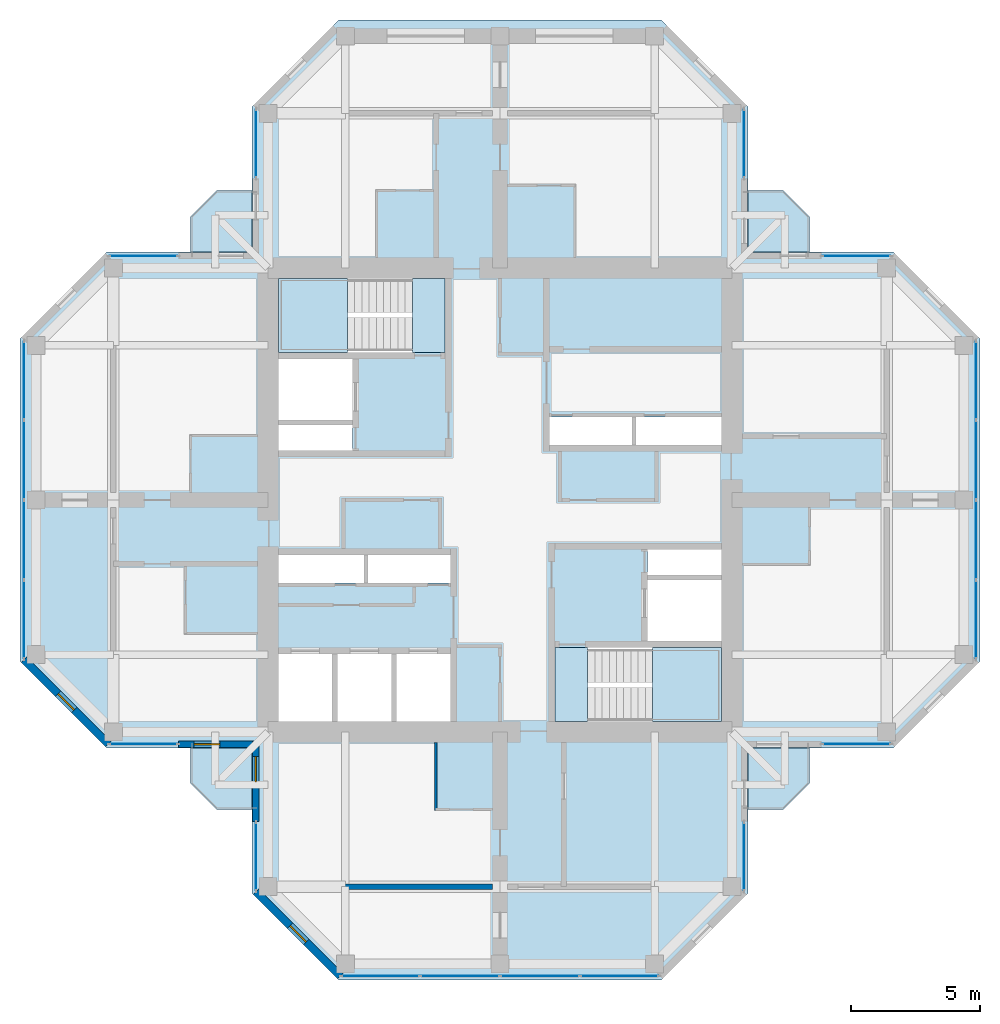
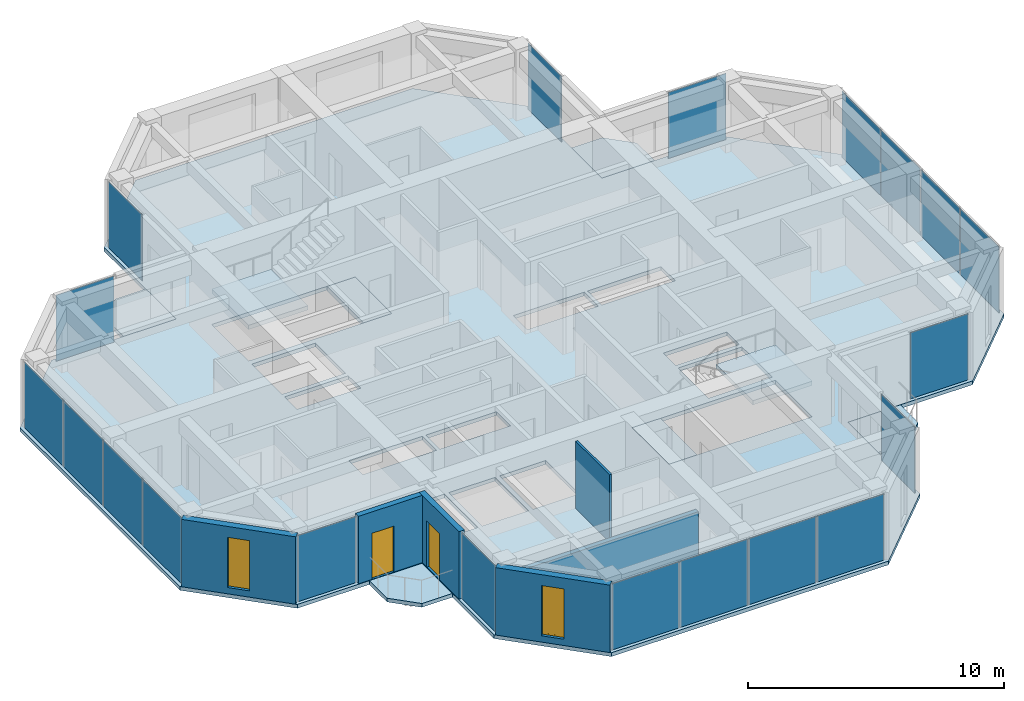
# One storey, part 7 of 13: 20 plates, 9 slabs, 6 walls, 2 doors, 2 windows, 4 openings, 13 elements without a shape of their own.
"""IFC4 building model written with IfcOpenShell, lengths in metres."""

from ifc_helpers import new_model, si_unit, direction, frame, frame_2d, origin, origin_2d, place, context, subcontext, project, spatial, polyline, rectangle, hollow_rectangle, outline, extrude, material, layer, layer_set, constituent, constituent_set, type_object, element, fill, aggregate, save


model = new_model("IFC4")

# Units and contexts
model_context = context("Model", 3, precision=1e-05, world=origin(), true_north=direction((0.0, 1.0)))
body_context = subcontext(model_context, "Body", "Model", "MODEL_VIEW")
ifc_project = project(units=[si_unit("LENGTHUNIT", "METRE"), si_unit("AREAUNIT", "SQUARE_METRE"), si_unit("VOLUMEUNIT", "CUBIC_METRE"), si_unit("PLANEANGLEUNIT", "RADIAN"), si_unit("MASSUNIT", "GRAM", prefix="KILO")], contexts=[model_context])

# Site, building, storey
site_placement = place(None, origin())
site = spatial("IfcSite", under=ifc_project, at=site_placement, CompositionType="ELEMENT")
building_placement = place(site_placement, origin())
building = spatial("IfcBuilding", under=site, at=building_placement, Name="Torre Cruceta", CompositionType="ELEMENT")
storey_placement = place(building_placement, frame((0.0, 0.0, 274.699951171875)))
storey = spatial("IfcBuildingStorey", under=building, at=storey_placement, Name="L71", CompositionType="ELEMENT", Elevation=274.699951171875)

# Slabs
ifc_material_1 = material(Name="Concrete G35 (fck 35 MPa)", Category="concrete")
ifc_layer_1 = layer(ifc_material_1, 0.179931640625)
ifc_layer_set_1 = layer_set([ifc_layer_1], Name="Concrete G35 (fck 35 MPa)")
slab_type_1 = type_object("IfcSlabType", Name="BALCONY SLAB 180", PredefinedType="USERDEFINED", material=ifc_layer_set_1)
slab_1_placement = place(storey_placement, frame((0.0, 0.0, -0.179931640625)))
element("IfcSlab", 1, at=slab_1_placement, inside=storey, type_object=slab_type_1, Name="Balcony slab L71 N", ObjectType="BALCONY", PredefinedType="USERDEFINED", context=body_context, shape_type="SweptSolid", body=[
    extrude(outline(polyline([(-12.0, 11.0), (-11.0, 12.0), (-9.6201171875, 12.0), (-9.6201171875, 9.6201171875), (-12.0, 9.6201171875), (-12.0, 11.0)])), origin(), (0.0, 0.0, 1.0), 0.179931640625),
])
slab_2_placement = place(storey_placement, frame((0.0, 0.0, -0.179931640625)))
element("IfcSlab", 2, at=slab_2_placement, inside=storey, type_object=slab_type_1, Name="Balcony slab L71 E", ObjectType="BALCONY", PredefinedType="USERDEFINED", context=body_context, shape_type="SweptSolid", body=[
    extrude(outline(polyline([(11.0, 12.0), (12.0, 11.0), (12.0, 9.6201171875), (9.6201171875, 9.6201171875), (9.6201171875, 12.0), (11.0, 12.0)])), origin(), (0.0, 0.0, 1.0), 0.179931640625),
])
slab_3_placement = place(storey_placement, frame((0.0, 0.0, -0.179931640625)))
element("IfcSlab", 3, at=slab_3_placement, inside=storey, type_object=slab_type_1, Name="Balcony slab L71 S", ObjectType="BALCONY", PredefinedType="USERDEFINED", context=body_context, shape_type="SweptSolid", body=[
    extrude(outline(polyline([(12.0, -11.0), (11.0, -12.0), (9.6201171875, -12.0), (9.6201171875, -9.6201171875), (12.0, -9.6201171875), (12.0, -11.0)])), origin(), (0.0, 0.0, 1.0), 0.179931640625),
])
slab_4_placement = place(storey_placement, frame((0.0, 0.0, -0.179931640625)))
element("IfcSlab", 4, at=slab_4_placement, inside=storey, type_object=slab_type_1, Name="Balcony slab L71 W", ObjectType="BALCONY", PredefinedType="USERDEFINED", context=body_context, shape_type="SweptSolid", body=[
    extrude(outline(polyline([(-11.0, -12.0), (-12.0, -11.0), (-12.0, -9.6201171875), (-9.6201171875, -9.6201171875), (-9.6201171875, -12.0), (-11.0, -12.0)])), origin(), (0.0, 0.0, 1.0), 0.179931640625),
])

# Curtain wall, plate
ifc_material_2 = material(Name="Aluminium unitised curtain wall", Category="aluminium")
curtain_wall_type = type_object("IfcCurtainWallType", Name="CURTAIN WALL CW-E CO-LIVING TOP", PredefinedType="USERDEFINED", material=ifc_material_2)
curtain_wall_1_placement = place(storey_placement, origin())
curtain_wall_1 = element("IfcCurtainWall", 5, at=curtain_wall_1_placement, inside=storey, type_object=curtain_wall_type, Name="CW-E L71 E tip 02", ObjectType="UNITISED", PredefinedType="USERDEFINED")
ifc_material_3 = material(Name="Laminated insulating glass unit, low-iron clear", Category="glass")
ifc_material_4 = material(Name="Laminated insulating glass unit, diagonal frit 50 %", Category="glass")
ifc_layer_2 = layer(ifc_material_4, 0.028076171875)
ifc_layer_set_2 = layer_set([ifc_layer_2], Name="Laminated insulating glass unit, diagonal frit 50 %")
plate_type_1 = type_object("IfcPlateType", Name="CW-E OPERABLE VENT PANEL 28", PredefinedType="CURTAIN_PANEL", material=ifc_layer_set_2)
plate_1_placement = place(storey_placement, frame((18.469970703125, -1.548583984375, 0.01025390625), z_axis=(0.0, 0.0, 1.0), x_axis=(0.0, 1.0, 0.0)))
plate_1 = element("IfcPlate", 6, at=plate_1_placement, type_object=plate_type_1, material=ifc_material_3, Name="CW-E vent 2", PredefinedType="CURTAIN_PANEL", context=body_context, shape_type="SweptSolid", body=[
    extrude(rectangle(XDim=3.042236328125, YDim=0.028076171875, at=origin_2d()), origin(), (0.0, 0.0, 1.0), 3.155029296875),
])

curtain_wall_2_placement = place(storey_placement, origin())
curtain_wall_2 = element("IfcCurtainWall", 7, at=curtain_wall_2_placement, inside=storey, type_object=curtain_wall_type, Name="CW-E L71 W tip 12", ObjectType="UNITISED", PredefinedType="USERDEFINED")
plate_2_placement = place(storey_placement, frame((-18.469970703125, 1.548583984375, 0.01025390625), z_axis=(0.0, 0.0, 1.0), x_axis=(0.0, -1.0, 0.0)))
plate_2 = element("IfcPlate", 8, at=plate_2_placement, type_object=plate_type_1, material=ifc_material_3, Name="CW-E vent 2", PredefinedType="CURTAIN_PANEL", context=body_context, shape_type="SweptSolid", body=[
    extrude(rectangle(XDim=3.042236328125, YDim=0.028076171875, at=origin_2d()), origin(), (0.0, 0.0, 1.0), 3.155029296875),
])

curtain_wall_3_placement = place(storey_placement, origin())
curtain_wall_3 = element("IfcCurtainWall", 9, at=curtain_wall_3_placement, inside=storey, type_object=curtain_wall_type, Name="CW-E L71 S tip 17", ObjectType="UNITISED", PredefinedType="USERDEFINED")
plate_3_placement = place(storey_placement, frame((-1.548583984375, -18.469970703125, 0.01025390625), z_axis=(0.0, 0.0, 1.0), x_axis=(1.0, 0.0, 0.0)))
plate_3 = element("IfcPlate", 10, at=plate_3_placement, type_object=plate_type_1, material=ifc_material_3, Name="CW-E vent 2", PredefinedType="CURTAIN_PANEL", context=body_context, shape_type="SweptSolid", body=[
    extrude(rectangle(XDim=3.042236328125, YDim=0.028076171875, at=origin_2d()), origin(), (0.0, 0.0, 1.0), 3.155029296875),
])

curtain_wall_4_placement = place(storey_placement, origin())
curtain_wall_4 = element("IfcCurtainWall", 11, at=curtain_wall_4_placement, inside=storey, type_object=curtain_wall_type, Name="CW-E L71 E side 00", ObjectType="UNITISED", PredefinedType="USERDEFINED")
ifc_material_5 = material(Name="Laminated insulating glass unit, diagonal frit 50 %", Category="glass")
ifc_material_6 = material(Name="Laminated insulating glass unit, diagonal frit 50 %", Category="glass")
ifc_layer_3 = layer(ifc_material_6, 0.028076171875)
ifc_layer_set_3 = layer_set([ifc_layer_3], Name="Laminated insulating glass unit, diagonal frit 50 %")
plate_type_2 = type_object("IfcPlateType", Name="CW-E PANEL 28", PredefinedType="CURTAIN_PANEL", material=ifc_layer_set_3)
plate_4_placement = place(storey_placement, frame((13.832275390625, -9.469970703125, 0.01025390625), z_axis=(0.0, 0.0, 1.0), x_axis=(1.0, 0.0, 0.0)))
plate_4 = element("IfcPlate", 12, at=plate_4_placement, type_object=plate_type_2, material=ifc_material_5, Name="CW-E panel 1", PredefinedType="CURTAIN_PANEL", context=body_context, shape_type="SweptSolid", body=[
    extrude(rectangle(XDim=2.61474609375, YDim=0.028076171875, at=origin_2d()), origin(), (0.0, 0.0, 1.0), 3.155029296875),
])
aggregate(curtain_wall_4, [plate_4])

# Plate
plate_5_placement = place(storey_placement, frame((18.469970703125, -4.63232421875, 0.01025390625), z_axis=(0.0, 0.0, 1.0), x_axis=(0.0, 1.0, 0.0)))
plate_5 = element("IfcPlate", 13, at=plate_5_placement, type_object=plate_type_2, material=ifc_material_5, Name="CW-E panel 1", PredefinedType="CURTAIN_PANEL", context=body_context, shape_type="SweptSolid", body=[
    extrude(rectangle(XDim=3.014892578125, YDim=0.028076171875, at=origin_2d()), origin(), (0.0, 0.0, 1.0), 3.155029296875),
])

plate_6_placement = place(storey_placement, frame((18.469970703125, 1.548583984375, 0.01025390625), z_axis=(0.0, 0.0, 1.0), x_axis=(0.0, 1.0, 0.0)))
plate_6 = element("IfcPlate", 14, at=plate_6_placement, type_object=plate_type_2, material=ifc_material_3, Name="CW-E panel 3", PredefinedType="CURTAIN_PANEL", context=body_context, shape_type="SweptSolid", body=[
    extrude(rectangle(XDim=3.042236328125, YDim=0.028076171875, at=origin_2d()), origin(), (0.0, 0.0, 1.0), 3.155029296875),
])

plate_7_placement = place(storey_placement, frame((18.469970703125, 4.63232421875, 0.01025390625), z_axis=(0.0, 0.0, 1.0), x_axis=(0.0, 1.0, 0.0)))
plate_7 = element("IfcPlate", 15, at=plate_7_placement, type_object=plate_type_2, material=ifc_material_5, Name="CW-E panel 4", PredefinedType="CURTAIN_PANEL", context=body_context, shape_type="SweptSolid", body=[
    extrude(rectangle(XDim=3.014892578125, YDim=0.028076171875, at=origin_2d()), origin(), (0.0, 0.0, 1.0), 3.155029296875),
])

aggregate(curtain_wall_1, [plate_5, plate_1, plate_6, plate_7])

# Curtain wall, plate
curtain_wall_5_placement = place(storey_placement, origin())
curtain_wall_5 = element("IfcCurtainWall", 16, at=curtain_wall_5_placement, inside=storey, type_object=curtain_wall_type, Name="CW-E L71 E side 04", ObjectType="UNITISED", PredefinedType="USERDEFINED")
plate_8_placement = place(storey_placement, frame((13.832275390625, 9.469970703125, 0.01025390625), z_axis=(0.0, 0.0, 1.0), x_axis=(-1.0, 0.0, 0.0)))
plate_8 = element("IfcPlate", 17, at=plate_8_placement, type_object=plate_type_2, material=ifc_material_5, Name="CW-E panel 1", PredefinedType="CURTAIN_PANEL", context=body_context, shape_type="SweptSolid", body=[
    extrude(rectangle(XDim=2.61474609375, YDim=0.028076171875, at=origin_2d()), origin(), (0.0, 0.0, 1.0), 3.155029296875),
])
aggregate(curtain_wall_5, [plate_8])

curtain_wall_6_placement = place(storey_placement, origin())
curtain_wall_6 = element("IfcCurtainWall", 18, at=curtain_wall_6_placement, inside=storey, type_object=curtain_wall_type, Name="CW-E L71 N side 05", ObjectType="UNITISED", PredefinedType="USERDEFINED")
plate_9_placement = place(storey_placement, frame((9.469970703125, 13.832275390625, 0.01025390625), z_axis=(0.0, 0.0, 1.0), x_axis=(0.0, 1.0, 0.0)))
plate_9 = element("IfcPlate", 19, at=plate_9_placement, type_object=plate_type_2, material=ifc_material_5, Name="CW-E panel 1", PredefinedType="CURTAIN_PANEL", context=body_context, shape_type="SweptSolid", body=[
    extrude(rectangle(XDim=2.61474609375, YDim=0.028076171875, at=origin_2d()), origin(), (0.0, 0.0, 1.0), 3.155029296875),
])
aggregate(curtain_wall_6, [plate_9])

curtain_wall_7_placement = place(storey_placement, origin())
curtain_wall_7 = element("IfcCurtainWall", 20, at=curtain_wall_7_placement, inside=storey, type_object=curtain_wall_type, Name="CW-E L71 N side 09", ObjectType="UNITISED", PredefinedType="USERDEFINED")
plate_10_placement = place(storey_placement, frame((-9.469970703125, 13.832275390625, 0.01025390625), z_axis=(0.0, 0.0, 1.0), x_axis=(0.0, -1.0, 0.0)))
plate_10 = element("IfcPlate", 21, at=plate_10_placement, type_object=plate_type_2, material=ifc_material_5, Name="CW-E panel 1", PredefinedType="CURTAIN_PANEL", context=body_context, shape_type="SweptSolid", body=[
    extrude(rectangle(XDim=2.61474609375, YDim=0.028076171875, at=origin_2d()), origin(), (0.0, 0.0, 1.0), 3.155029296875),
])
aggregate(curtain_wall_7, [plate_10])

curtain_wall_8_placement = place(storey_placement, origin())
curtain_wall_8 = element("IfcCurtainWall", 22, at=curtain_wall_8_placement, inside=storey, type_object=curtain_wall_type, Name="CW-E L71 W side 10", ObjectType="UNITISED", PredefinedType="USERDEFINED")
plate_11_placement = place(storey_placement, frame((-13.832275390625, 9.469970703125, 0.01025390625), z_axis=(0.0, 0.0, 1.0), x_axis=(-1.0, 0.0, 0.0)))
plate_11 = element("IfcPlate", 23, at=plate_11_placement, type_object=plate_type_2, material=ifc_material_5, Name="CW-E panel 1", PredefinedType="CURTAIN_PANEL", context=body_context, shape_type="SweptSolid", body=[
    extrude(rectangle(XDim=2.61474609375, YDim=0.028076171875, at=origin_2d()), origin(), (0.0, 0.0, 1.0), 3.155029296875),
])
aggregate(curtain_wall_8, [plate_11])

# Plate
plate_12_placement = place(storey_placement, frame((-18.469970703125, 4.63232421875, 0.01025390625), z_axis=(0.0, 0.0, 1.0), x_axis=(0.0, -1.0, 0.0)))
plate_12 = element("IfcPlate", 24, at=plate_12_placement, type_object=plate_type_2, material=ifc_material_5, Name="CW-E panel 1", PredefinedType="CURTAIN_PANEL", context=body_context, shape_type="SweptSolid", body=[
    extrude(rectangle(XDim=3.014892578125, YDim=0.028076171875, at=origin_2d()), origin(), (0.0, 0.0, 1.0), 3.155029296875),
])

plate_13_placement = place(storey_placement, frame((-18.469970703125, -1.548583984375, 0.01025390625), z_axis=(0.0, 0.0, 1.0), x_axis=(0.0, -1.0, 0.0)))
plate_13 = element("IfcPlate", 25, at=plate_13_placement, type_object=plate_type_2, material=ifc_material_3, Name="CW-E panel 3", PredefinedType="CURTAIN_PANEL", context=body_context, shape_type="SweptSolid", body=[
    extrude(rectangle(XDim=3.042236328125, YDim=0.028076171875, at=origin_2d()), origin(), (0.0, 0.0, 1.0), 3.155029296875),
])

plate_14_placement = place(storey_placement, frame((-18.469970703125, -4.63232421875, 0.01025390625), z_axis=(0.0, 0.0, 1.0), x_axis=(0.0, -1.0, 0.0)))
plate_14 = element("IfcPlate", 26, at=plate_14_placement, type_object=plate_type_2, material=ifc_material_5, Name="CW-E panel 4", PredefinedType="CURTAIN_PANEL", context=body_context, shape_type="SweptSolid", body=[
    extrude(rectangle(XDim=3.014892578125, YDim=0.028076171875, at=origin_2d()), origin(), (0.0, 0.0, 1.0), 3.155029296875),
])

aggregate(curtain_wall_2, [plate_12, plate_2, plate_13, plate_14])

# Curtain wall, plate
curtain_wall_9_placement = place(storey_placement, origin())
curtain_wall_9 = element("IfcCurtainWall", 27, at=curtain_wall_9_placement, inside=storey, type_object=curtain_wall_type, Name="CW-E L71 W side 14", ObjectType="UNITISED", PredefinedType="USERDEFINED")
plate_15_placement = place(storey_placement, frame((-13.832275390625, -9.469970703125, 0.01025390625), z_axis=(0.0, 0.0, 1.0), x_axis=(1.0, 0.0, 0.0)))
plate_15 = element("IfcPlate", 28, at=plate_15_placement, type_object=plate_type_2, material=ifc_material_5, Name="CW-E panel 1", PredefinedType="CURTAIN_PANEL", context=body_context, shape_type="SweptSolid", body=[
    extrude(rectangle(XDim=2.61474609375, YDim=0.028076171875, at=origin_2d()), origin(), (0.0, 0.0, 1.0), 3.155029296875),
])
aggregate(curtain_wall_9, [plate_15])

curtain_wall_10_placement = place(storey_placement, origin())
curtain_wall_10 = element("IfcCurtainWall", 29, at=curtain_wall_10_placement, inside=storey, type_object=curtain_wall_type, Name="CW-E L71 S side 15", ObjectType="UNITISED", PredefinedType="USERDEFINED")
plate_16_placement = place(storey_placement, frame((-9.469970703125, -13.832275390625, 0.01025390625), z_axis=(0.0, 0.0, 1.0), x_axis=(0.0, -1.0, 0.0)))
plate_16 = element("IfcPlate", 30, at=plate_16_placement, type_object=plate_type_2, material=ifc_material_5, Name="CW-E panel 1", PredefinedType="CURTAIN_PANEL", context=body_context, shape_type="SweptSolid", body=[
    extrude(rectangle(XDim=2.61474609375, YDim=0.028076171875, at=origin_2d()), origin(), (0.0, 0.0, 1.0), 3.155029296875),
])
aggregate(curtain_wall_10, [plate_16])

# Plate
plate_17_placement = place(storey_placement, frame((-4.63232421875, -18.469970703125, 0.01025390625), z_axis=(0.0, 0.0, 1.0), x_axis=(1.0, 0.0, 0.0)))
plate_17 = element("IfcPlate", 31, at=plate_17_placement, type_object=plate_type_2, material=ifc_material_5, Name="CW-E panel 1", PredefinedType="CURTAIN_PANEL", context=body_context, shape_type="SweptSolid", body=[
    extrude(rectangle(XDim=3.014892578125, YDim=0.028076171875, at=origin_2d()), origin(), (0.0, 0.0, 1.0), 3.155029296875),
])

plate_18_placement = place(storey_placement, frame((1.548583984375, -18.469970703125, 0.01025390625), z_axis=(0.0, 0.0, 1.0), x_axis=(1.0, 0.0, 0.0)))
plate_18 = element("IfcPlate", 32, at=plate_18_placement, type_object=plate_type_2, material=ifc_material_3, Name="CW-E panel 3", PredefinedType="CURTAIN_PANEL", context=body_context, shape_type="SweptSolid", body=[
    extrude(rectangle(XDim=3.042236328125, YDim=0.028076171875, at=origin_2d()), origin(), (0.0, 0.0, 1.0), 3.155029296875),
])

plate_19_placement = place(storey_placement, frame((4.63232421875, -18.469970703125, 0.01025390625), z_axis=(0.0, 0.0, 1.0), x_axis=(1.0, 0.0, 0.0)))
plate_19 = element("IfcPlate", 33, at=plate_19_placement, type_object=plate_type_2, material=ifc_material_5, Name="CW-E panel 4", PredefinedType="CURTAIN_PANEL", context=body_context, shape_type="SweptSolid", body=[
    extrude(rectangle(XDim=3.014892578125, YDim=0.028076171875, at=origin_2d()), origin(), (0.0, 0.0, 1.0), 3.155029296875),
])

aggregate(curtain_wall_3, [plate_17, plate_3, plate_18, plate_19])

# Curtain wall, plate
curtain_wall_11_placement = place(storey_placement, origin())
curtain_wall_11 = element("IfcCurtainWall", 34, at=curtain_wall_11_placement, inside=storey, type_object=curtain_wall_type, Name="CW-E L71 S side 19", ObjectType="UNITISED", PredefinedType="USERDEFINED")
plate_20_placement = place(storey_placement, frame((9.469970703125, -13.832275390625, 0.01025390625), z_axis=(0.0, 0.0, 1.0), x_axis=(0.0, 1.0, 0.0)))
plate_20 = element("IfcPlate", 35, at=plate_20_placement, type_object=plate_type_2, material=ifc_material_5, Name="CW-E panel 1", PredefinedType="CURTAIN_PANEL", context=body_context, shape_type="SweptSolid", body=[
    extrude(rectangle(XDim=2.61474609375, YDim=0.028076171875, at=origin_2d()), origin(), (0.0, 0.0, 1.0), 3.155029296875),
])
aggregate(curtain_wall_11, [plate_20])

# Slab
ifc_material_7 = material(Name="Concrete G35 (fck 35 MPa)", Category="concrete")
ifc_layer_4 = layer(ifc_material_7, 0.179931640625)
ifc_layer_set_4 = layer_set([ifc_layer_4], Name="Concrete G35 (fck 35 MPa)")
slab_type_2 = type_object("IfcSlabType", Name="FLOOR SLAB 180", PredefinedType="FLOOR", material=ifc_layer_set_4)
slab_5_placement = place(storey_placement, frame((0.0, 0.0, -0.179931640625)))
element("IfcSlab", 36, at=slab_5_placement, inside=storey, type_object=slab_type_2, Name="Floor Slab L71", PredefinedType="FLOOR", context=body_context, shape_type="SweptSolid", body=[
    extrude(outline(polyline([(9.6201171875, -9.6201171875), (9.6201171875, -15.2568359375), (6.2568359375, -18.6201171875), (-6.2568359375, -18.6201171875), (-9.6201171875, -15.2568359375), (-9.6201171875, -9.6201171875), (-15.2568359375, -9.6201171875), (-18.6201171875, -6.2568359375), (-18.6201171875, 6.2568359375), (-15.2568359375, 9.6201171875), (-9.6201171875, 9.6201171875), (-9.6201171875, 15.2568359375), (-6.2568359375, 18.6201171875), (6.2568359375, 18.6201171875), (9.6201171875, 15.2568359375), (9.6201171875, 9.6201171875), (15.2568359375, 9.6201171875), (18.6201171875, 6.2568359375), (18.6201171875, -6.2568359375), (15.2568359375, -9.6201171875), (9.6201171875, -9.6201171875)]), holes=[polyline([(1.925048828125, 2.125), (5.125, 2.125), (5.125, 3.22509765625), (1.925048828125, 3.22509765625), (1.925048828125, 2.125)]), polyline([(5.27490234375, 2.125), (8.60009765625, 2.125), (8.60009765625, 3.22509765625), (5.27490234375, 3.22509765625), (5.27490234375, 2.125)]), polyline([(-8.60009765625, 3.10009765625), (-5.72509765625, 3.10009765625), (-5.72509765625, 5.47509765625), (-8.60009765625, 5.47509765625), (-8.60009765625, 3.10009765625)]), polyline([(-8.60009765625, 1.925048828125), (-5.72509765625, 1.925048828125), (-5.72509765625, 2.89990234375), (-8.60009765625, 2.89990234375), (-8.60009765625, 1.925048828125)]), polyline([(-4.0166015625, -8.60009765625), (-1.925048828125, -8.60009765625), (-1.925048828125, -5.97509765625), (-4.0166015625, -5.97509765625), (-4.0166015625, -8.60009765625)]), polyline([(-6.308349609375, -8.60009765625), (-4.216552734375, -8.60009765625), (-4.216552734375, -5.97509765625), (-6.308349609375, -5.97509765625), (-6.308349609375, -8.60009765625)]), polyline([(-8.60009765625, -8.60009765625), (-6.50830078125, -8.60009765625), (-6.50830078125, -5.97509765625), (-8.60009765625, -5.97509765625), (-8.60009765625, -8.60009765625)]), polyline([(-5.125, -3.22509765625), (-1.925048828125, -3.22509765625), (-1.925048828125, -2.125), (-5.125, -2.125), (-5.125, -3.22509765625)]), polyline([(-8.60009765625, -3.22509765625), (-5.27490234375, -3.22509765625), (-5.27490234375, -2.125), (-8.60009765625, -2.125), (-8.60009765625, -3.22509765625)]), polyline([(5.72509765625, -5.47509765625), (8.60009765625, -5.47509765625), (8.60009765625, -3.10009765625), (5.72509765625, -3.10009765625), (5.72509765625, -5.47509765625)]), polyline([(5.72509765625, -2.89990234375), (8.60009765625, -2.89990234375), (8.60009765625, -1.925048828125), (5.72509765625, -1.925048828125), (5.72509765625, -2.89990234375)]), polyline([(-8.60009765625, 5.72509765625), (-8.60009765625, 8.60009765625), (-3.39990234375, 8.60009765625), (-2.125, 8.60009765625), (-2.125, 5.72509765625), (-3.39990234375, 5.72509765625), (-8.60009765625, 5.72509765625)]), polyline([(2.125, -5.72509765625), (3.39990234375, -5.72509765625), (8.60009765625, -5.72509765625), (8.60009765625, -8.60009765625), (3.39990234375, -8.60009765625), (2.125, -8.60009765625), (2.125, -5.72509765625)])]), origin(), (0.0, 0.0, 1.0), 0.179931640625),
])

# Stair, slab
ifc_material_8 = material(Name="Concrete G30 (fck 30 MPa)", Category="concrete")
stair_type = type_object("IfcStairType", Name="STAIR HALF-TURN 1300", PredefinedType="HALF_TURN_STAIR", material=ifc_material_8)
stair_1_placement = place(storey_placement, origin())
stair_1 = element("IfcStair", 37, at=stair_1_placement, inside=storey, type_object=stair_type, Name="Stair ST1 L71", PredefinedType="HALF_TURN_STAIR")
ifc_material_9 = material(Name="Concrete G30 (fck 30 MPa)", Category="concrete")
ifc_layer_5 = layer(ifc_material_9, 0.199951171875)
ifc_layer_set_5 = layer_set([ifc_layer_5], Name="Concrete G30 (fck 30 MPa)")
slab_type_3 = type_object("IfcSlabType", Name="STAIR LANDING 200", PredefinedType="LANDING", material=ifc_layer_set_5)
slab_6_placement = place(storey_placement, frame((0.0, 0.0, 1.5)))
slab_6 = element("IfcSlab", 38, at=slab_6_placement, type_object=slab_type_3, Name="ST1 landing 1", PredefinedType="LANDING", context=body_context, shape_type="SweptSolid", body=[
    extrude(outline(polyline([(-8.60009765625, 5.72509765625), (-5.919921875, 5.72509765625), (-5.919921875, 8.60009765625), (-8.60009765625, 8.60009765625), (-8.60009765625, 5.72509765625)])), origin(), (0.0, 0.0, 1.0), 0.199951171875),
])
aggregate(stair_1, [slab_6])

stair_2_placement = place(storey_placement, origin())
stair_2 = element("IfcStair", 39, at=stair_2_placement, inside=storey, type_object=stair_type, Name="Stair ST2 L71", PredefinedType="HALF_TURN_STAIR")
slab_7_placement = place(storey_placement, frame((0.0, 0.0, 1.5)))
slab_7 = element("IfcSlab", 40, at=slab_7_placement, type_object=slab_type_3, Name="ST2 landing 1", PredefinedType="LANDING", context=body_context, shape_type="SweptSolid", body=[
    extrude(outline(polyline([(5.919921875, -8.60009765625), (8.60009765625, -8.60009765625), (8.60009765625, -5.72509765625), (5.919921875, -5.72509765625), (5.919921875, -8.60009765625)])), origin(), (0.0, 0.0, 1.0), 0.199951171875),
])
aggregate(stair_2, [slab_7])

# Slabs
slab_8_placement = place(storey_placement, frame((0.0, 0.0, -0.199951171875)))
element("IfcSlab", 41, at=slab_8_placement, inside=storey, type_object=slab_type_3, Name="Stair ST1 floor landing L71", PredefinedType="LANDING", context=body_context, shape_type="SweptSolid", body=[
    extrude(outline(polyline([(-2.125, 8.60009765625), (-2.125, 5.72509765625), (-3.39990234375, 5.72509765625), (-3.39990234375, 8.60009765625), (-2.125, 8.60009765625)])), origin(), (0.0, 0.0, 1.0), 0.199951171875),
])
slab_9_placement = place(storey_placement, frame((0.0, 0.0, -0.199951171875)))
element("IfcSlab", 42, at=slab_9_placement, inside=storey, type_object=slab_type_3, Name="Stair ST2 floor landing L71", PredefinedType="LANDING", context=body_context, shape_type="SweptSolid", body=[
    extrude(outline(polyline([(2.125, -8.60009765625), (2.125, -5.72509765625), (3.39990234375, -5.72509765625), (3.39990234375, -8.60009765625), (2.125, -8.60009765625)])), origin(), (0.0, 0.0, 1.0), 0.199951171875),
])

# Wall
ifc_material_10 = material(Name="Water-resistant plasterboard on steel studs", Category="steel")
ifc_layer_6 = layer(ifc_material_10, 0.10009765625)
ifc_layer_set_6 = layer_set([ifc_layer_6], Name="Water-resistant plasterboard on steel studs")
wall_type_1 = type_object("IfcWallType", Name="BATHROOM WALL 100", PredefinedType="PARTITIONING", material=ifc_layer_set_6)
wall_1_placement = place(storey_placement, frame((-2.5, -9.39990234375, 0.0), z_axis=(0.0, 0.0, 1.0), x_axis=(0.0, -1.0, 0.0)))
element("IfcWall", 43, at=wall_1_placement, inside=storey, type_object=wall_type_1, Name="PT4 L71-S-U1RBB", PredefinedType="PARTITIONING", context=body_context, shape_type="SweptSolid", body=[
    extrude(rectangle(XDim=2.650146484375, YDim=0.10009765625, at=frame_2d((1.3251953125, 0.0))), origin(), (0.0, 0.0, 1.0), 3.219970703125),
])

# Wall, opening, window
ifc_material_11 = material(Name="Concrete G30 (fck 30 MPa)", Category="concrete")
ifc_layer_7 = layer(ifc_material_11, 0.300048828125)
ifc_layer_set_7 = layer_set([ifc_layer_7], Name="Concrete G30 (fck 30 MPa)")
wall_type_2 = type_object("IfcWallType", Name="EXPOSED CONCRETE FACADE WALL 300", PredefinedType="SOLIDWALL", material=ifc_layer_set_7)
wall_2_placement = place(storey_placement, frame((-18.469970703125, -6.194580078125, 0.0), z_axis=(0.0, 0.0, 1.0), x_axis=(0.707106781187, -0.707106781187, 0.0)))
wall_2 = element("IfcWall", 44, at=wall_2_placement, inside=storey, type_object=wall_type_2, Name="EW1 facade wall L71 W chamfer 13", PredefinedType="SOLIDWALL", context=body_context, shape_type="SweptSolid", body=[
    extrude(rectangle(XDim=4.632080078125, YDim=0.300048828125, at=frame_2d((2.31591796875, 0.0))), origin(), (0.0, 0.0, 1.0), 3.219970703125),
])
opening_1_placement = place(wall_2_placement, frame((1.865966796875, 0.0, 0.300048828125)))
opening_1 = element("IfcOpeningElement", 45, at=opening_1_placement, cuts=wall_2, Name="Opening WN5", PredefinedType="OPENING", context=body_context, shape_type="SweptSolid", body=[
    extrude(rectangle(XDim=0.89990234375, YDim=2.39990234375, at=frame_2d((0.449951171875, 1.199951171875))), frame((0.0, 0.159912109375, 0.0), z_axis=(0.0, -1.0, 0.0), x_axis=(1.0, 0.0, 0.0)), (0.0, 0.0, 1.0), 0.320068359375),
])
ifc_material_12 = material(Name="Aluminium window frame", Category="aluminium")
ifc_constituent_1 = constituent(ifc_material_12, Name="Frame")
ifc_material_13 = material(Name="Laminated insulating glass unit, low-iron clear", Category="glass")
ifc_constituent_2 = constituent(ifc_material_13, Name="Glazing")
ifc_constituent_set_1 = constituent_set(constituents=[ifc_constituent_1, ifc_constituent_2], Name="Aluminium window")
window_type = type_object("IfcWindowType", Name="CHAMFER SLOT WINDOW 900X2400", PartitioningType="SINGLE_PANEL", PredefinedType="WINDOW", material=ifc_constituent_set_1)
window_1_placement = place(opening_1_placement, origin())
window_1 = element("IfcWindow", 46, at=window_1_placement, inside=storey, type_object=window_type, Name="WN5 L71 W 1", OverallHeight=2.39990234375, OverallWidth=0.89990234375, PartitioningType="SINGLE_PANEL", PredefinedType="WINDOW", context=body_context, shape_type="SweptSolid", body=[
    extrude(hollow_rectangle(XDim=0.89990234375, YDim=2.39990234375, WallThickness=0.06005859375, at=frame_2d((0.449951171875, 1.199951171875))), frame((0.0, 0.030029296875, 0.0), z_axis=(0.0, -1.0, 0.0), x_axis=(1.0, 0.0, 0.0)), (0.0, 0.0, 1.0), 0.06005859375),
    extrude(rectangle(XDim=0.77880859375, YDim=2.27880859375, at=frame_2d((0.449951171875, 1.199951171875))), frame((0.0, 0.030029296875, 0.0), z_axis=(0.0, -1.0, 0.0), x_axis=(1.0, 0.0, 0.0)), (0.0, 0.0, 1.0), 0.06005859375),
])
fill(opening_1, window_1)

wall_3_placement = place(storey_placement, frame((-9.469970703125, -15.194580078125, 0.0), z_axis=(0.0, 0.0, 1.0), x_axis=(0.707106781187, -0.707106781187, 0.0)))
wall_3 = element("IfcWall", 47, at=wall_3_placement, inside=storey, type_object=wall_type_2, Name="EW1 facade wall L71 S chamfer 16", PredefinedType="SOLIDWALL", context=body_context, shape_type="SweptSolid", body=[
    extrude(rectangle(XDim=4.632080078125, YDim=0.300048828125, at=frame_2d((2.31591796875, 0.0))), origin(), (0.0, 0.0, 1.0), 3.219970703125),
])
opening_2_placement = place(wall_3_placement, frame((1.865966796875, 0.0, 0.300048828125)))
opening_2 = element("IfcOpeningElement", 48, at=opening_2_placement, cuts=wall_3, Name="Opening WN5", PredefinedType="OPENING", context=body_context, shape_type="SweptSolid", body=[
    extrude(rectangle(XDim=0.89990234375, YDim=2.39990234375, at=frame_2d((0.449951171875, 1.199951171875))), frame((0.0, 0.159912109375, 0.0), z_axis=(0.0, -1.0, 0.0), x_axis=(1.0, 0.0, 0.0)), (0.0, 0.0, 1.0), 0.320068359375),
])
window_2_placement = place(opening_2_placement, origin())
window_2 = element("IfcWindow", 49, at=window_2_placement, inside=storey, type_object=window_type, Name="WN5 L71 S 1", OverallHeight=2.39990234375, OverallWidth=0.89990234375, PartitioningType="SINGLE_PANEL", PredefinedType="WINDOW", context=body_context, shape_type="SweptSolid", body=[
    extrude(hollow_rectangle(XDim=0.89990234375, YDim=2.39990234375, WallThickness=0.06005859375, at=frame_2d((0.449951171875, 1.199951171875))), frame((0.0, 0.030029296875, 0.0), z_axis=(0.0, -1.0, 0.0), x_axis=(1.0, 0.0, 0.0)), (0.0, 0.0, 1.0), 0.06005859375),
    extrude(rectangle(XDim=0.77880859375, YDim=2.27880859375, at=frame_2d((0.449951171875, 1.199951171875))), frame((0.0, 0.030029296875, 0.0), z_axis=(0.0, -1.0, 0.0), x_axis=(1.0, 0.0, 0.0)), (0.0, 0.0, 1.0), 0.06005859375),
])
fill(opening_2, window_2)

# Wall
ifc_material_14 = material(Name="Concrete G25 (fck 25 MPa)", Category="concrete")
ifc_layer_8 = layer(ifc_material_14, 0.199951171875)
ifc_layer_set_8 = layer_set([ifc_layer_8], Name="Concrete G25 (fck 25 MPa)")
wall_type_3 = type_object("IfcWallType", Name="UNIT SEPARATING WALL 200", PredefinedType="SOLIDWALL", material=ifc_layer_set_8)
wall_4_placement = place(storey_placement, frame((-8.64990234375, -15.0, 0.0), z_axis=(0.0, 0.0, 1.0), x_axis=(1.0, 0.0, 0.0)))
element("IfcWall", 50, at=wall_4_placement, inside=storey, type_object=wall_type_3, Name="PT2 L71-S-ENDa", PredefinedType="SOLIDWALL", context=body_context, shape_type="SweptSolid", body=[
    extrude(rectangle(XDim=8.349853515625, YDim=0.199951171875, at=frame_2d((4.1748046875, 0.0))), origin(), (0.0, 0.0, 1.0), 2.52001953125),
])

# Wall, opening, door
ifc_material_15 = material(Name="Concrete G30 (fck 30 MPa)", Category="concrete")
ifc_layer_9 = layer(ifc_material_15, 0.25)
ifc_layer_set_9 = layer_set([ifc_layer_9], Name="Concrete G30 (fck 30 MPa)")
wall_type_4 = type_object("IfcWallType", Name="WINTER GARDEN WALL 250", PredefinedType="SOLIDWALL", material=ifc_layer_set_9)
wall_5_placement = place(storey_placement, frame((-12.469970703125, -9.469970703125, 0.0), z_axis=(0.0, 0.0, 1.0), x_axis=(1.0, 0.0, 0.0)))
wall_5 = element("IfcWall", 51, at=wall_5_placement, inside=storey, type_object=wall_type_4, Name="EW2 winter garden wall L71 14", PredefinedType="SOLIDWALL", context=body_context, shape_type="SweptSolid", body=[
    extrude(rectangle(XDim=2.875, YDim=0.25, at=frame_2d((1.4375, 0.0))), origin(), (0.0, 0.0, 1.0), 3.219970703125),
])
opening_3_placement = place(wall_5_placement, frame((0.60009765625, 0.0, 0.0)))
opening_3 = element("IfcOpeningElement", 52, at=opening_3_placement, cuts=wall_5, Name="Opening D10", PredefinedType="OPENING", context=body_context, shape_type="SweptSolid", body=[
    extrude(rectangle(XDim=1.0, YDim=2.199951171875, at=frame_2d((0.5, 1.10009765625))), frame((0.0, 0.135009765625, 0.0), z_axis=(0.0, -1.0, 0.0), x_axis=(1.0, 0.0, 0.0)), (0.0, 0.0, 1.0), 0.27001953125),
])
ifc_material_16 = material(Name="Aluminium door frame", Category="aluminium")
ifc_constituent_3 = constituent(ifc_material_16, Name="Frame")
ifc_material_17 = material(Name="Laminated safety glass", Category="glass")
ifc_constituent_4 = constituent(ifc_material_17, Name="Glazing")
ifc_constituent_set_2 = constituent_set(constituents=[ifc_constituent_3, ifc_constituent_4], Name="Aluminium glazed door")
door_type = type_object("IfcDoorType", Name="BALCONY DOOR 1000X2200", OperationType="SINGLE_SWING_RIGHT", PredefinedType="DOOR", material=ifc_constituent_set_2)
door_1_placement = place(opening_3_placement, origin())
door_1 = element("IfcDoor", 53, at=door_1_placement, inside=storey, type_object=door_type, Name="D10 balcony door L71 14", OperationType="SINGLE_SWING_RIGHT", OverallHeight=2.199951171875, OverallWidth=1.0, PredefinedType="DOOR", context=body_context, shape_type="SweptSolid", body=[
    extrude(hollow_rectangle(XDim=1.0, YDim=2.199951171875, WallThickness=0.06005859375, at=frame_2d((0.5, 1.10009765625))), frame((0.0, 0.02490234375, 0.0), z_axis=(0.0, -1.0, 0.0), x_axis=(1.0, 0.0, 0.0)), (0.0, 0.0, 1.0), 0.050048828125),
    extrude(rectangle(XDim=0.87890625, YDim=2.078857421875, at=frame_2d((0.5, 1.10009765625))), frame((0.0, 0.02490234375, 0.0), z_axis=(0.0, -1.0, 0.0), x_axis=(1.0, 0.0, 0.0)), (0.0, 0.0, 1.0), 0.050048828125),
])
fill(opening_3, door_1)

wall_6_placement = place(storey_placement, frame((-9.469970703125, -9.344970703125, 0.0), z_axis=(0.0, 0.0, 1.0), x_axis=(0.0, -1.0, 0.0)))
wall_6 = element("IfcWall", 54, at=wall_6_placement, inside=storey, type_object=wall_type_4, Name="EW2 winter garden wall L71 15", PredefinedType="SOLIDWALL", context=body_context, shape_type="SweptSolid", body=[
    extrude(rectangle(XDim=3.125, YDim=0.25, at=frame_2d((1.5625, 0.0))), origin(), (0.0, 0.0, 1.0), 3.219970703125),
])
opening_4_placement = place(wall_6_placement, frame((0.60009765625, 0.0, 0.0)))
opening_4 = element("IfcOpeningElement", 55, at=opening_4_placement, cuts=wall_6, Name="Opening D10", PredefinedType="OPENING", context=body_context, shape_type="SweptSolid", body=[
    extrude(rectangle(XDim=1.0, YDim=2.199951171875, at=frame_2d((0.5, 1.10009765625))), frame((0.0, 0.135009765625, 0.0), z_axis=(0.0, -1.0, 0.0), x_axis=(1.0, 0.0, 0.0)), (0.0, 0.0, 1.0), 0.27001953125),
])
door_2_placement = place(opening_4_placement, origin())
door_2 = element("IfcDoor", 56, at=door_2_placement, inside=storey, type_object=door_type, Name="D10 balcony door L71 15", OperationType="SINGLE_SWING_LEFT", OverallHeight=2.199951171875, OverallWidth=1.0, PredefinedType="DOOR", context=body_context, shape_type="SweptSolid", body=[
    extrude(hollow_rectangle(XDim=1.0, YDim=2.199951171875, WallThickness=0.06005859375, at=frame_2d((0.5, 1.10009765625))), frame((0.0, 0.02490234375, 0.0), z_axis=(0.0, -1.0, 0.0), x_axis=(1.0, 0.0, 0.0)), (0.0, 0.0, 1.0), 0.050048828125),
    extrude(rectangle(XDim=0.87890625, YDim=2.078857421875, at=frame_2d((0.5, 1.10009765625))), frame((0.0, 0.02490234375, 0.0), z_axis=(0.0, -1.0, 0.0), x_axis=(1.0, 0.0, 0.0)), (0.0, 0.0, 1.0), 0.050048828125),
])
fill(opening_4, door_2)

save(model, "model.ifc")
